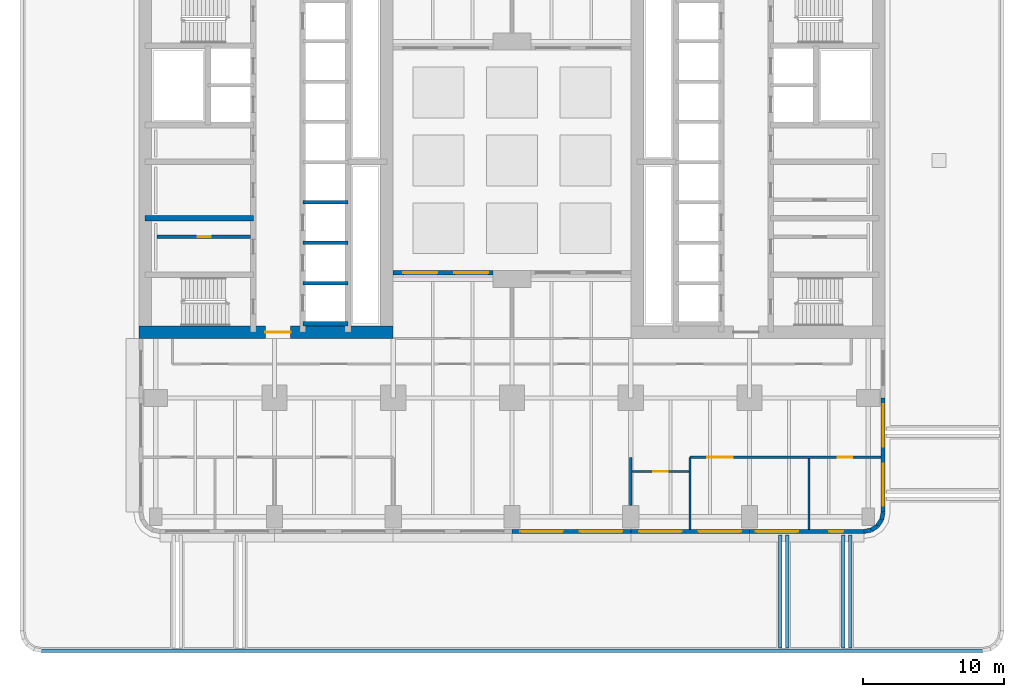
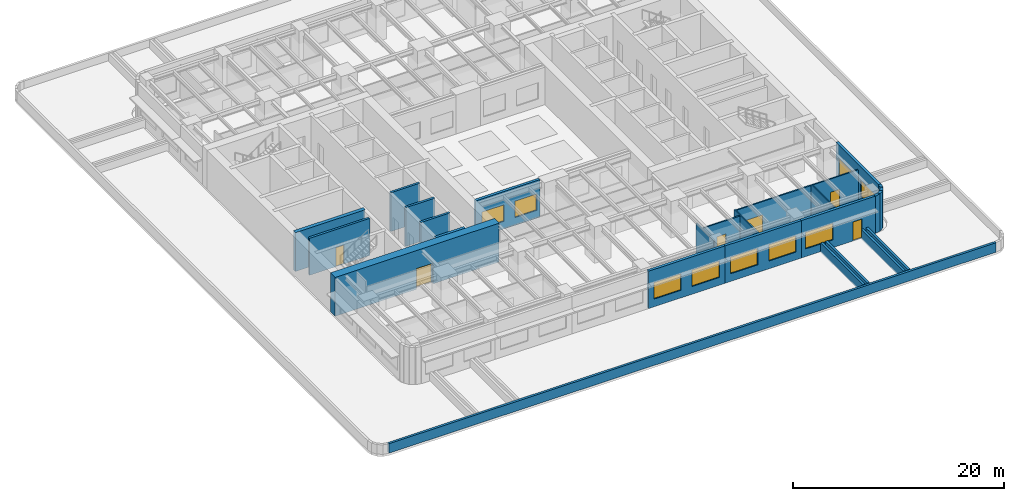
# One storey, part 4 of 17: 26 walls, 9 windows, 6 doors, 15 openings.
"""IFC4 building model written with IfcOpenShell, lengths in metres."""

from ifc_helpers import new_model, si_unit, direction, frame, frame_2d, origin, place, context, subcontext, project, spatial, rectangle, extrude, material, layer, layer_set, type_object, element, fill, save


model = new_model("IFC4")

# Units and contexts
model_context = context("Model", 3, precision=1e-05, world=origin(), true_north=direction((0.0, 1.0)))
body_context = subcontext(model_context, "Body", "Model", "MODEL_VIEW")
ifc_project = project(units=[si_unit("LENGTHUNIT", "METRE"), si_unit("AREAUNIT", "SQUARE_METRE"), si_unit("VOLUMEUNIT", "CUBIC_METRE"), si_unit("PLANEANGLEUNIT", "RADIAN"), si_unit("MASSUNIT", "GRAM", prefix="KILO")], contexts=[model_context])

# Site, building, storey
site_placement = place(None, origin())
site = spatial("IfcSite", under=ifc_project, at=site_placement, CompositionType="ELEMENT")
building_placement = place(site_placement, origin())
building = spatial("IfcBuilding", under=site, at=building_placement, Name="Claustro Exchange Tower", CompositionType="ELEMENT")
storey_placement = place(building_placement, frame((0.0, 0.0, 18.89990234375)))
storey = spatial("IfcBuildingStorey", under=building, at=storey_placement, Name="L04", CompositionType="ELEMENT", Elevation=18.89990234375)

# Wall, opening, door
ifc_material_1 = material(Name="Gypsum board on steel studs", Category="steel")
ifc_layer_1 = layer(ifc_material_1, 0.14990234375)
ifc_layer_set_1 = layer_set([ifc_layer_1], Name="Gypsum board on steel studs")
wall_type_1 = type_object("IfcWallType", Name="P1 150 plasterboard partition", PredefinedType="PARTITIONING", material=ifc_layer_set_1)
wall_1_placement = place(storey_placement, frame((33.674072265625, 3.199951171875, 0.0), z_axis=(0.0, 0.0, 1.0), x_axis=(1.0, 0.0, 0.0)))
wall_1 = element("IfcWall", 1, at=wall_1_placement, inside=storey, type_object=wall_type_1, Name="Partition P1 L04", PredefinedType="PARTITIONING", context=body_context, shape_type="SweptSolid", body=[
    extrude(rectangle(XDim=4.052001953125, YDim=0.14990234375, at=frame_2d((2.02587890625, 0.0))), origin(), (0.0, 0.0, 1.0), 3.739990234375),
])
opening_1_placement = place(wall_1_placement, frame((1.52587890625, 0.0, 0.0)))
opening_1 = element("IfcOpeningElement", 2, at=opening_1_placement, cuts=wall_1, Name="Opening D1", PredefinedType="OPENING", context=body_context, shape_type="SweptSolid", body=[
    extrude(rectangle(XDim=1.0, YDim=2.199951171875, at=frame_2d((0.5, 1.10009765625))), frame((0.0, 0.0849609375, 0.0), z_axis=(0.0, -1.0, 0.0), x_axis=(1.0, 0.0, 0.0)), (0.0, 0.0, 1.0), 0.169921875),
])
ifc_material_2 = material(Name="Timber door, oak veneer", Category="wood")
door_type_1 = type_object("IfcDoorType", Name="D1 1000 x 2200 single door", OperationType="SINGLE_SWING_LEFT", PredefinedType="DOOR", material=ifc_material_2)
door_1_placement = place(opening_1_placement, frame((1.0, 0.0, 0.0), z_axis=(0.0, 0.0, 1.0), x_axis=(-1.0, 0.0, 0.0)))
door_1 = element("IfcDoor", 3, at=door_1_placement, inside=storey, type_object=door_type_1, Name="Door D1 L04", OperationType="SINGLE_SWING_LEFT", OverallHeight=2.199951171875, OverallWidth=1.0, PredefinedType="DOOR", context=body_context, shape_type="SweptSolid", body=[
    extrude(rectangle(XDim=1.0, YDim=2.199951171875, at=frame_2d((0.5, 1.10009765625))), frame((0.0, 0.02490234375, 0.0), z_axis=(0.0, -1.0, 0.0), x_axis=(1.0, 0.0, 0.0)), (0.0, 0.0, 1.0), 0.050048828125),
])
fill(opening_1, door_1)

# Wall, openings, doors
wall_2_placement = place(storey_placement, frame((37.800048828125, 4.199951171875, 0.0), z_axis=(0.0, 0.0, 1.0), x_axis=(1.0, 0.0, 0.0)))
wall_2 = element("IfcWall", 4, at=wall_2_placement, inside=storey, type_object=wall_type_1, Name="Partition P1 L04", PredefinedType="PARTITIONING", context=body_context, shape_type="SweptSolid", body=[
    extrude(rectangle(XDim=13.501953125, YDim=0.14990234375, at=frame_2d((6.7509765625, 0.0))), origin(), (0.0, 0.0, 1.0), 3.739990234375),
])
opening_2_placement = place(wall_2_placement, frame((1.199951171875, 0.0, 0.0)))
opening_2 = element("IfcOpeningElement", 5, at=opening_2_placement, cuts=wall_2, Name="Opening D2", PredefinedType="OPENING", context=body_context, shape_type="SweptSolid", body=[
    extrude(rectangle(XDim=1.800048828125, YDim=2.199951171875, at=frame_2d((0.89990234375, 1.10009765625))), frame((0.0, 0.0849609375, 0.0), z_axis=(0.0, -1.0, 0.0), x_axis=(1.0, 0.0, 0.0)), (0.0, 0.0, 1.0), 0.169921875),
])
opening_3_placement = place(wall_2_placement, frame((10.449951171875, 0.0, 0.0)))
opening_3 = element("IfcOpeningElement", 6, at=opening_3_placement, cuts=wall_2, Name="Opening D1", PredefinedType="OPENING", context=body_context, shape_type="SweptSolid", body=[
    extrude(rectangle(XDim=1.0, YDim=2.199951171875, at=frame_2d((0.5, 1.10009765625))), frame((0.0, 0.0849609375, 0.0), z_axis=(0.0, -1.0, 0.0), x_axis=(1.0, 0.0, 0.0)), (0.0, 0.0, 1.0), 0.169921875),
])
door_2_placement = place(opening_3_placement, origin())
door_2 = element("IfcDoor", 7, at=door_2_placement, inside=storey, type_object=door_type_1, Name="Door D1 L04", OperationType="SINGLE_SWING_LEFT", OverallHeight=2.199951171875, OverallWidth=1.0, PredefinedType="DOOR", context=body_context, shape_type="SweptSolid", body=[
    extrude(rectangle(XDim=1.0, YDim=2.199951171875, at=frame_2d((0.5, 1.10009765625))), frame((0.0, 0.02490234375, 0.0), z_axis=(0.0, -1.0, 0.0), x_axis=(1.0, 0.0, 0.0)), (0.0, 0.0, 1.0), 0.050048828125),
])
fill(opening_3, door_2)
ifc_material_3 = material(Name="Timber door, oak veneer", Category="wood")
door_type_2 = type_object("IfcDoorType", Name="D2 1800 x 2200 double door", OperationType="DOUBLE_DOOR_SINGLE_SWING", PredefinedType="DOOR", material=ifc_material_3)
door_3_placement = place(opening_2_placement, frame((1.800048828125, 0.0, 0.0), z_axis=(0.0, 0.0, 1.0), x_axis=(-1.0, 0.0, 0.0)))
door_3 = element("IfcDoor", 8, at=door_3_placement, inside=storey, type_object=door_type_2, Name="Double door D2 L04", OperationType="DOUBLE_DOOR_SINGLE_SWING", OverallHeight=2.199951171875, OverallWidth=1.800048828125, PredefinedType="DOOR", context=body_context, shape_type="SweptSolid", body=[
    extrude(rectangle(XDim=1.800048828125, YDim=2.199951171875, at=frame_2d((0.89990234375, 1.10009765625))), frame((0.0, 0.02490234375, 0.0), z_axis=(0.0, -1.0, 0.0), x_axis=(1.0, 0.0, 0.0)), (0.0, 0.0, 1.0), 0.050048828125),
])
fill(opening_2, door_3)

# Walls
wall_3_placement = place(storey_placement, frame((33.60009765625, 0.799072265625, 0.0), z_axis=(0.0, 0.0, 1.0), x_axis=(0.0, 1.0, 0.0)))
element("IfcWall", 9, at=wall_3_placement, inside=storey, type_object=wall_type_1, Name="Partition P1 L04", PredefinedType="PARTITIONING", context=body_context, shape_type="SweptSolid", body=[
    extrude(rectangle(XDim=3.40087890625, YDim=0.14990234375, at=frame_2d((1.700439453125, 0.0))), origin(), (0.0, 0.0, 1.0), 3.739990234375),
])
wall_4_placement = place(storey_placement, frame((37.800048828125, -0.902099609375, 0.0), z_axis=(0.0, 0.0, 1.0), x_axis=(0.0, 1.0, 0.0)))
element("IfcWall", 10, at=wall_4_placement, inside=storey, type_object=wall_type_1, Name="Partition P1 L04", PredefinedType="PARTITIONING", context=body_context, shape_type="SweptSolid", body=[
    extrude(rectangle(XDim=5.10205078125, YDim=0.14990234375, at=frame_2d((2.551025390625, 0.0))), origin(), (0.0, 0.0, 1.0), 3.840087890625),
])
wall_5_placement = place(storey_placement, frame((46.199951171875, -0.902099609375, 0.0), z_axis=(0.0, 0.0, 1.0), x_axis=(0.0, 1.0, 0.0)))
element("IfcWall", 11, at=wall_5_placement, inside=storey, type_object=wall_type_1, Name="Partition P1 L04", PredefinedType="PARTITIONING", context=body_context, shape_type="SweptSolid", body=[
    extrude(rectangle(XDim=5.028076171875, YDim=0.14990234375, at=frame_2d((2.51416015625, 0.0))), origin(), (0.0, 0.0, 1.0), 3.840087890625),
])

# Wall, opening, door
ifc_material_4 = material(Name="Concrete blockwork, rendered", Category="masonry")
ifc_layer_2 = layer(ifc_material_4, 0.25)
ifc_layer_set_2 = layer_set([ifc_layer_2], Name="Concrete blockwork, rendered")
wall_type_2 = type_object("IfcWallType", Name="P4 250 blockwork wall", PredefinedType="PARTITIONING", material=ifc_layer_set_2)
wall_6_placement = place(storey_placement, frame((0.10009765625, 19.800048828125, 0.0), z_axis=(0.0, 0.0, 1.0), x_axis=(1.0, 0.0, 0.0)))
wall_6 = element("IfcWall", 12, at=wall_6_placement, inside=storey, type_object=wall_type_2, Name="Partition P4 L04", PredefinedType="PARTITIONING", context=body_context, shape_type="SweptSolid", body=[
    extrude(rectangle(XDim=6.599853515625, YDim=0.25, at=frame_2d((3.2998046875, 0.0))), origin(), (0.0, 0.0, 1.0), 4.300048828125),
])
opening_4_placement = place(wall_6_placement, frame((2.875, 0.0, 0.0)))
opening_4 = element("IfcOpeningElement", 13, at=opening_4_placement, cuts=wall_6, Name="Opening D5", PredefinedType="OPENING", context=body_context, shape_type="SweptSolid", body=[
    extrude(rectangle(XDim=0.89990234375, YDim=2.199951171875, at=frame_2d((0.449951171875, 1.10009765625))), frame((0.0, 0.135009765625, 0.0), z_axis=(0.0, -1.0, 0.0), x_axis=(1.0, 0.0, 0.0)), (0.0, 0.0, 1.0), 0.27001953125),
])
ifc_material_5 = material(Name="Steel door, painted", Category="steel")
door_type_3 = type_object("IfcDoorType", Name="D5 900 x 2200 store door", OperationType="SINGLE_SWING_LEFT", PredefinedType="DOOR", material=ifc_material_5)
door_4_placement = place(opening_4_placement, origin())
door_4 = element("IfcDoor", 14, at=door_4_placement, inside=storey, type_object=door_type_3, Name="Store door D5 L04", OperationType="SINGLE_SWING_LEFT", OverallHeight=2.199951171875, OverallWidth=0.89990234375, PredefinedType="DOOR", context=body_context, shape_type="SweptSolid", body=[
    extrude(rectangle(XDim=0.89990234375, YDim=2.199951171875, at=frame_2d((0.449951171875, 1.10009765625))), frame((0.0, 0.02490234375, 0.0), z_axis=(0.0, -1.0, 0.0), x_axis=(1.0, 0.0, 0.0)), (0.0, 0.0, 1.0), 0.050048828125),
])
fill(opening_4, door_4)

# Wall, openings, door, window
ifc_material_6 = material(Name="Concrete HA-40 (C40/50), precast, white cement, acid-etched", Category="concrete")
ifc_layer_3 = layer(ifc_material_6, 0.300048828125)
ifc_layer_set_3 = layer_set([ifc_layer_3], Name="Concrete HA-40 (C40/50), precast, white cement, acid-etched")
wall_type_3 = type_object("IfcWallType", Name="PC1 300 precast concrete pier panel", PredefinedType="SOLIDWALL", material=ifc_layer_set_3)
wall_7_placement = place(storey_placement, frame((50.085205078125, -1.050048828125, 0.0), z_axis=(0.0, 0.0, 1.0), x_axis=(-1.0, 0.0, 0.0)))
wall_7 = element("IfcWall", 15, at=wall_7_placement, inside=storey, type_object=wall_type_3, Name="Precast pier panel PC1 L04", PredefinedType="SOLIDWALL", context=body_context, shape_type="SweptSolid", body=[
    extrude(rectangle(XDim=8.085205078125, YDim=0.300048828125, at=frame_2d((4.04248046875, 0.0))), origin(), (0.0, 0.0, 1.0), 4.340087890625),
])
opening_5_placement = place(wall_7_placement, frame((4.642578125, 0.0, 0.89990234375)))
opening_5 = element("IfcOpeningElement", 16, at=opening_5_placement, cuts=wall_7, Name="Opening W1", PredefinedType="OPENING", context=body_context, shape_type="SweptSolid", body=[
    extrude(rectangle(XDim=3.0, YDim=1.89990234375, at=frame_2d((1.5, 0.949951171875))), frame((0.0, 0.159912109375, 0.0), z_axis=(0.0, -1.0, 0.0), x_axis=(1.0, 0.0, 0.0)), (0.0, 0.0, 1.0), 0.320068359375),
])
opening_6_placement = place(wall_7_placement, frame((1.442626953125, 0.0, 0.0)))
opening_6 = element("IfcOpeningElement", 17, at=opening_6_placement, cuts=wall_7, Name="Opening DE2", PredefinedType="OPENING", context=body_context, shape_type="SweptSolid", body=[
    extrude(rectangle(XDim=1.0, YDim=2.199951171875, at=frame_2d((0.5, 1.10009765625))), frame((0.0, 0.159912109375, 0.0), z_axis=(0.0, -1.0, 0.0), x_axis=(1.0, 0.0, 0.0)), (0.0, 0.0, 1.0), 0.320068359375),
])
ifc_material_7 = material(Name="Steel door, painted", Category="steel")
door_type_4 = type_object("IfcDoorType", Name="DE2 1000 x 2200 external single door", OperationType="SINGLE_SWING_LEFT", PredefinedType="DOOR", material=ifc_material_7)
door_5_placement = place(opening_6_placement, origin())
door_5 = element("IfcDoor", 18, at=door_5_placement, inside=storey, type_object=door_type_4, Name="Podium roof access door L04", OperationType="SINGLE_SWING_LEFT", OverallHeight=2.199951171875, OverallWidth=1.0, PredefinedType="DOOR", context=body_context, shape_type="SweptSolid", body=[
    extrude(rectangle(XDim=1.0, YDim=2.199951171875, at=frame_2d((0.5, 1.10009765625))), frame((0.0, 0.02490234375, 0.0), z_axis=(0.0, -1.0, 0.0), x_axis=(1.0, 0.0, 0.0)), (0.0, 0.0, 1.0), 0.050048828125),
])
fill(opening_6, door_5)
ifc_material_8 = material(Name="Aluminium frame, clear double glazing", Category="aluminium")
window_type_1 = type_object("IfcWindowType", Name="W1 3000 x 1900 window", PartitioningType="SINGLE_PANEL", PredefinedType="WINDOW", material=ifc_material_8)
window_1_placement = place(opening_5_placement, origin())
window_1 = element("IfcWindow", 19, at=window_1_placement, inside=storey, type_object=window_type_1, Name="Window W1 L04", OverallHeight=1.89990234375, OverallWidth=3.0, PartitioningType="SINGLE_PANEL", PredefinedType="WINDOW", context=body_context, shape_type="SweptSolid", body=[
    extrude(rectangle(XDim=3.0, YDim=1.89990234375, at=frame_2d((1.5, 0.949951171875))), frame((0.0, 0.030029296875, 0.0), z_axis=(0.0, -1.0, 0.0), x_axis=(1.0, 0.0, 0.0)), (0.0, 0.0, 1.0), 0.06005859375),
])
fill(opening_5, window_1)

# Wall, openings, windows
wall_8_placement = place(storey_placement, frame((42.0, -1.050048828125, 0.0), z_axis=(0.0, 0.0, 1.0), x_axis=(-1.0, 0.0, 0.0)))
wall_8 = element("IfcWall", 20, at=wall_8_placement, inside=storey, type_object=wall_type_3, Name="Precast pier panel PC1 L04", PredefinedType="SOLIDWALL", context=body_context, shape_type="SweptSolid", body=[
    extrude(rectangle(XDim=8.39990234375, YDim=0.300048828125, at=frame_2d((4.199951171875, 0.0))), origin(), (0.0, 0.0, 1.0), 4.340087890625),
])
opening_7_placement = place(wall_8_placement, frame((0.60009765625, 0.0, 0.89990234375)))
opening_7 = element("IfcOpeningElement", 21, at=opening_7_placement, cuts=wall_8, Name="Opening W1", PredefinedType="OPENING", context=body_context, shape_type="SweptSolid", body=[
    extrude(rectangle(XDim=3.0, YDim=1.89990234375, at=frame_2d((1.5, 0.949951171875))), frame((0.0, 0.159912109375, 0.0), z_axis=(0.0, -1.0, 0.0), x_axis=(1.0, 0.0, 0.0)), (0.0, 0.0, 1.0), 0.320068359375),
])
opening_8_placement = place(wall_8_placement, frame((4.800048828125, 0.0, 0.89990234375)))
opening_8 = element("IfcOpeningElement", 22, at=opening_8_placement, cuts=wall_8, Name="Opening W1", PredefinedType="OPENING", context=body_context, shape_type="SweptSolid", body=[
    extrude(rectangle(XDim=3.0, YDim=1.89990234375, at=frame_2d((1.5, 0.949951171875))), frame((0.0, 0.159912109375, 0.0), z_axis=(0.0, -1.0, 0.0), x_axis=(1.0, 0.0, 0.0)), (0.0, 0.0, 1.0), 0.320068359375),
])
window_2_placement = place(opening_7_placement, origin())
window_2 = element("IfcWindow", 23, at=window_2_placement, inside=storey, type_object=window_type_1, Name="Window W1 L04", OverallHeight=1.89990234375, OverallWidth=3.0, PartitioningType="SINGLE_PANEL", PredefinedType="WINDOW", context=body_context, shape_type="SweptSolid", body=[
    extrude(rectangle(XDim=3.0, YDim=1.89990234375, at=frame_2d((1.5, 0.949951171875))), frame((0.0, 0.030029296875, 0.0), z_axis=(0.0, -1.0, 0.0), x_axis=(1.0, 0.0, 0.0)), (0.0, 0.0, 1.0), 0.06005859375),
])
fill(opening_7, window_2)
window_3_placement = place(opening_8_placement, origin())
window_3 = element("IfcWindow", 24, at=window_3_placement, inside=storey, type_object=window_type_1, Name="Window W1 L04", OverallHeight=1.89990234375, OverallWidth=3.0, PartitioningType="SINGLE_PANEL", PredefinedType="WINDOW", context=body_context, shape_type="SweptSolid", body=[
    extrude(rectangle(XDim=3.0, YDim=1.89990234375, at=frame_2d((1.5, 0.949951171875))), frame((0.0, 0.030029296875, 0.0), z_axis=(0.0, -1.0, 0.0), x_axis=(1.0, 0.0, 0.0)), (0.0, 0.0, 1.0), 0.06005859375),
])
fill(opening_8, window_3)

wall_9_placement = place(storey_placement, frame((33.60009765625, -1.050048828125, 0.0), z_axis=(0.0, 0.0, 1.0), x_axis=(-1.0, 0.0, 0.0)))
wall_9 = element("IfcWall", 25, at=wall_9_placement, inside=storey, type_object=wall_type_3, Name="Precast pier panel PC1 L04", PredefinedType="SOLIDWALL", context=body_context, shape_type="SweptSolid", body=[
    extrude(rectangle(XDim=8.400146484375, YDim=0.300048828125, at=frame_2d((4.2001953125, 0.0))), origin(), (0.0, 0.0, 1.0), 4.340087890625),
])
opening_9_placement = place(wall_9_placement, frame((0.60009765625, 0.0, 0.89990234375)))
opening_9 = element("IfcOpeningElement", 26, at=opening_9_placement, cuts=wall_9, Name="Opening W1", PredefinedType="OPENING", context=body_context, shape_type="SweptSolid", body=[
    extrude(rectangle(XDim=3.0, YDim=1.89990234375, at=frame_2d((1.5, 0.949951171875))), frame((0.0, 0.159912109375, 0.0), z_axis=(0.0, -1.0, 0.0), x_axis=(1.0, 0.0, 0.0)), (0.0, 0.0, 1.0), 0.320068359375),
])
opening_10_placement = place(wall_9_placement, frame((4.800048828125, 0.0, 0.89990234375)))
opening_10 = element("IfcOpeningElement", 27, at=opening_10_placement, cuts=wall_9, Name="Opening W1", PredefinedType="OPENING", context=body_context, shape_type="SweptSolid", body=[
    extrude(rectangle(XDim=3.0, YDim=1.89990234375, at=frame_2d((1.5, 0.949951171875))), frame((0.0, 0.159912109375, 0.0), z_axis=(0.0, -1.0, 0.0), x_axis=(1.0, 0.0, 0.0)), (0.0, 0.0, 1.0), 0.320068359375),
])
window_4_placement = place(opening_9_placement, origin())
window_4 = element("IfcWindow", 28, at=window_4_placement, inside=storey, type_object=window_type_1, Name="Window W1 L04", OverallHeight=1.89990234375, OverallWidth=3.0, PartitioningType="SINGLE_PANEL", PredefinedType="WINDOW", context=body_context, shape_type="SweptSolid", body=[
    extrude(rectangle(XDim=3.0, YDim=1.89990234375, at=frame_2d((1.5, 0.949951171875))), frame((0.0, 0.030029296875, 0.0), z_axis=(0.0, -1.0, 0.0), x_axis=(1.0, 0.0, 0.0)), (0.0, 0.0, 1.0), 0.06005859375),
])
fill(opening_9, window_4)
window_5_placement = place(opening_10_placement, origin())
window_5 = element("IfcWindow", 29, at=window_5_placement, inside=storey, type_object=window_type_1, Name="Window W1 L04", OverallHeight=1.89990234375, OverallWidth=3.0, PartitioningType="SINGLE_PANEL", PredefinedType="WINDOW", context=body_context, shape_type="SweptSolid", body=[
    extrude(rectangle(XDim=3.0, YDim=1.89990234375, at=frame_2d((1.5, 0.949951171875))), frame((0.0, 0.030029296875, 0.0), z_axis=(0.0, -1.0, 0.0), x_axis=(1.0, 0.0, 0.0)), (0.0, 0.0, 1.0), 0.06005859375),
])
fill(opening_10, window_5)

wall_10_placement = place(storey_placement, frame((51.449951171875, 8.39990234375, 0.0), z_axis=(0.0, 0.0, 1.0), x_axis=(0.0, -1.0, 0.0)))
wall_10 = element("IfcWall", 30, at=wall_10_placement, inside=storey, type_object=wall_type_3, Name="Precast pier panel PC1 L04", PredefinedType="SOLIDWALL", context=body_context, shape_type="SweptSolid", body=[
    extrude(rectangle(XDim=8.085205078125, YDim=0.300048828125, at=frame_2d((4.04248046875, 0.0))), origin(), (0.0, 0.0, 1.0), 4.340087890625),
])
opening_11_placement = place(wall_10_placement, frame((0.442626953125, 0.0, 0.89990234375)))
opening_11 = element("IfcOpeningElement", 31, at=opening_11_placement, cuts=wall_10, Name="Opening W1", PredefinedType="OPENING", context=body_context, shape_type="SweptSolid", body=[
    extrude(rectangle(XDim=3.0, YDim=1.89990234375, at=frame_2d((1.5, 0.949951171875))), frame((0.0, 0.159912109375, 0.0), z_axis=(0.0, -1.0, 0.0), x_axis=(1.0, 0.0, 0.0)), (0.0, 0.0, 1.0), 0.320068359375),
])
opening_12_placement = place(wall_10_placement, frame((4.642578125, 0.0, 0.89990234375)))
opening_12 = element("IfcOpeningElement", 32, at=opening_12_placement, cuts=wall_10, Name="Opening W1", PredefinedType="OPENING", context=body_context, shape_type="SweptSolid", body=[
    extrude(rectangle(XDim=3.0, YDim=1.89990234375, at=frame_2d((1.5, 0.949951171875))), frame((0.0, 0.159912109375, 0.0), z_axis=(0.0, -1.0, 0.0), x_axis=(1.0, 0.0, 0.0)), (0.0, 0.0, 1.0), 0.320068359375),
])
window_6_placement = place(opening_11_placement, origin())
window_6 = element("IfcWindow", 33, at=window_6_placement, inside=storey, type_object=window_type_1, Name="Window W1 L04", OverallHeight=1.89990234375, OverallWidth=3.0, PartitioningType="SINGLE_PANEL", PredefinedType="WINDOW", context=body_context, shape_type="SweptSolid", body=[
    extrude(rectangle(XDim=3.0, YDim=1.89990234375, at=frame_2d((1.5, 0.949951171875))), frame((0.0, 0.030029296875, 0.0), z_axis=(0.0, -1.0, 0.0), x_axis=(1.0, 0.0, 0.0)), (0.0, 0.0, 1.0), 0.06005859375),
])
fill(opening_11, window_6)
window_7_placement = place(opening_12_placement, origin())
window_7 = element("IfcWindow", 34, at=window_7_placement, inside=storey, type_object=window_type_1, Name="Window W1 L04", OverallHeight=1.89990234375, OverallWidth=3.0, PartitioningType="SINGLE_PANEL", PredefinedType="WINDOW", context=body_context, shape_type="SweptSolid", body=[
    extrude(rectangle(XDim=3.0, YDim=1.89990234375, at=frame_2d((1.5, 0.949951171875))), frame((0.0, 0.030029296875, 0.0), z_axis=(0.0, -1.0, 0.0), x_axis=(1.0, 0.0, 0.0)), (0.0, 0.0, 1.0), 0.06005859375),
])
fill(opening_12, window_7)

# Walls
wall_11_placement = place(storey_placement, frame((51.449951171875, 0.314697265625, 0.0), z_axis=(0.0, 0.0, 1.0), x_axis=(-0.195073962632, -0.980788534345, 0.0)))
element("IfcWall", 35, at=wall_11_placement, inside=storey, type_object=wall_type_3, Name="Precast pier panel PC1 L04", PredefinedType="SOLIDWALL", context=body_context, shape_type="SweptSolid", body=[
    extrude(rectangle(XDim=0.540771484375, YDim=0.300048828125, at=frame_2d((0.2705078125, 0.0))), origin(), (0.0, 0.0, 1.0), 4.340087890625),
])
for number, where, z_axis, x_axis, name in (
    (36, (51.344482421875, -0.215576171875, 0.0), (0.0, 0.0, 1.0), (-0.555557463938, -0.831478144188, 0.0), "Precast pier panel PC1 L04"),
    (37, (51.052490234375, -0.652587890625, 0.0), (0.0, 0.0, 1.0), (-0.831478144188, -0.555557463938, 0.0), "Precast pier panel PC1 L04"),
):
    element("IfcWall", number, at=place(storey_placement, frame(where, z_axis=z_axis, x_axis=x_axis)), inside=storey, type_object=wall_type_3, Name=name, PredefinedType="SOLIDWALL", context=body_context, shape_type="SweptSolid", body=[
        extrude(rectangle(XDim=0.525634765625, YDim=0.300048828125, at=frame_2d((0.2626953125, 0.0))), origin(), (0.0, 0.0, 1.0), 4.340087890625),
    ])
wall_12_placement = place(storey_placement, frame((50.615478515625, -0.944580078125, 0.0), z_axis=(0.0, 0.0, 1.0), x_axis=(-0.980788534345, -0.195073962632, 0.0)))
element("IfcWall", 38, at=wall_12_placement, inside=storey, type_object=wall_type_3, Name="Precast pier panel PC1 L04", PredefinedType="SOLIDWALL", context=body_context, shape_type="SweptSolid", body=[
    extrude(rectangle(XDim=0.540771484375, YDim=0.300048828125, at=frame_2d((0.2705078125, 0.0))), origin(), (0.0, 0.0, 1.0), 4.340087890625),
])

# Wall, openings, windows
wall_13_placement = place(storey_placement, frame((16.800048828125, 17.25, 0.0), z_axis=(0.0, 0.0, 1.0), x_axis=(1.0, 0.0, 0.0)))
wall_13 = element("IfcWall", 39, at=wall_13_placement, inside=storey, type_object=wall_type_3, Name="Precast pier panel PC1 L04", PredefinedType="SOLIDWALL", context=body_context, shape_type="SweptSolid", body=[
    extrude(rectangle(XDim=7.050048828125, YDim=0.300048828125, at=frame_2d((3.52490234375, 0.0))), origin(), (0.0, 0.0, 1.0), 4.340087890625),
])
opening_13_placement = place(wall_13_placement, frame((0.72509765625, 0.0, 0.89990234375)))
opening_13 = element("IfcOpeningElement", 40, at=opening_13_placement, cuts=wall_13, Name="Opening W2", PredefinedType="OPENING", context=body_context, shape_type="SweptSolid", body=[
    extrude(rectangle(XDim=2.39990234375, YDim=1.89990234375, at=frame_2d((1.199951171875, 0.949951171875))), frame((0.0, 0.159912109375, 0.0), z_axis=(0.0, -1.0, 0.0), x_axis=(1.0, 0.0, 0.0)), (0.0, 0.0, 1.0), 0.320068359375),
])
opening_14_placement = place(wall_13_placement, frame((4.324951171875, 0.0, 0.89990234375)))
opening_14 = element("IfcOpeningElement", 41, at=opening_14_placement, cuts=wall_13, Name="Opening W2", PredefinedType="OPENING", context=body_context, shape_type="SweptSolid", body=[
    extrude(rectangle(XDim=2.39990234375, YDim=1.89990234375, at=frame_2d((1.199951171875, 0.949951171875))), frame((0.0, 0.159912109375, 0.0), z_axis=(0.0, -1.0, 0.0), x_axis=(1.0, 0.0, 0.0)), (0.0, 0.0, 1.0), 0.320068359375),
])
ifc_material_9 = material(Name="Aluminium frame, clear double glazing", Category="aluminium")
window_type_2 = type_object("IfcWindowType", Name="W2 2400 x 1900 window", PartitioningType="SINGLE_PANEL", PredefinedType="WINDOW", material=ifc_material_9)
window_8_placement = place(opening_13_placement, origin())
window_8 = element("IfcWindow", 42, at=window_8_placement, inside=storey, type_object=window_type_2, Name="Window W2 L04", OverallHeight=1.89990234375, OverallWidth=2.39990234375, PartitioningType="SINGLE_PANEL", PredefinedType="WINDOW", context=body_context, shape_type="SweptSolid", body=[
    extrude(rectangle(XDim=2.39990234375, YDim=1.89990234375, at=frame_2d((1.199951171875, 0.949951171875))), frame((0.0, 0.030029296875, 0.0), z_axis=(0.0, -1.0, 0.0), x_axis=(1.0, 0.0, 0.0)), (0.0, 0.0, 1.0), 0.06005859375),
])
fill(opening_13, window_8)
window_9_placement = place(opening_14_placement, origin())
window_9 = element("IfcWindow", 43, at=window_9_placement, inside=storey, type_object=window_type_2, Name="Window W2 L04", OverallHeight=1.89990234375, OverallWidth=2.39990234375, PartitioningType="SINGLE_PANEL", PredefinedType="WINDOW", context=body_context, shape_type="SweptSolid", body=[
    extrude(rectangle(XDim=2.39990234375, YDim=1.89990234375, at=frame_2d((1.199951171875, 0.949951171875))), frame((0.0, 0.030029296875, 0.0), z_axis=(0.0, -1.0, 0.0), x_axis=(1.0, 0.0, 0.0)), (0.0, 0.0, 1.0), 0.06005859375),
])
fill(opening_14, window_9)

# Walls
ifc_material_10 = material(Name="Concrete HA-40 (C40/50), precast, white cement, acid-etched", Category="concrete")
ifc_layer_4 = layer(ifc_material_10, 0.25)
ifc_layer_set_4 = layer_set([ifc_layer_4], Name="Concrete HA-40 (C40/50), precast, white cement, acid-etched")
wall_type_4 = type_object("IfcWallType", Name="PP1 250 precast concrete parapet", PredefinedType="PARAPET", material=ifc_layer_set_4)
wall_14_placement = place(storey_placement, frame((58.5, -9.47509765625, 0.0), z_axis=(0.0, 0.0, 1.0), x_axis=(-1.0, 0.0, 0.0)))
element("IfcWall", 44, at=wall_14_placement, inside=storey, type_object=wall_type_4, Name="Parapet PP1 roof at +18.900", PredefinedType="PARAPET", context=body_context, shape_type="SweptSolid", body=[
    extrude(rectangle(XDim=66.60009765625, YDim=0.25, at=frame_2d((33.300048828125, 0.0))), origin(), (0.0, 0.0, 1.0), 1.10009765625),
])
for number, where, z_axis, x_axis, name in (
    (45, (44.175048828125, -1.280029296875, 0.0), (0.0, 0.0, 1.0), (0.0, -1.0, 0.0), "Parapet PP1 roof at +18.900"),
    (46, (44.675048828125, -9.280029296875, 0.0), (0.0, 0.0, 1.0), (0.0, 1.0, 0.0), "Parapet PP1 roof at +18.900"),
    (47, (48.625, -1.280029296875, 0.0), (0.0, 0.0, 1.0), (0.0, -1.0, 0.0), "Parapet PP1 roof at +18.900"),
    (48, (49.125, -9.280029296875, 0.0), (0.0, 0.0, 1.0), (0.0, 1.0, 0.0), "Parapet PP1 roof at +18.900"),
):
    element("IfcWall", number, at=place(storey_placement, frame(where, z_axis=z_axis, x_axis=x_axis)), inside=storey, type_object=wall_type_4, Name=name, PredefinedType="PARAPET", context=body_context, shape_type="SweptSolid", body=[
        extrude(rectangle(XDim=8.0, YDim=0.25, at=frame_2d((4.0, 0.0))), origin(), (0.0, 0.0, 1.0), 1.10009765625),
    ])

# Wall, opening, door
ifc_material_11 = material(Name="Concrete HA-70 (C70/85)", Category="concrete")
ifc_layer_5 = layer(ifc_material_11, 0.89990234375)
ifc_layer_set_5 = layer_set([ifc_layer_5], Name="Concrete HA-70 (C70/85)")
wall_type_5 = type_object("IfcWallType", Name="SW1 900 core shear wall", PredefinedType="SHEAR", material=ifc_layer_set_5)
wall_15_placement = place(storey_placement, frame((-1.199951171875, 13.050048828125, 0.0), z_axis=(0.0, 0.0, 1.0), x_axis=(1.0, 0.0, 0.0)))
wall_15 = element("IfcWall", 49, at=wall_15_placement, inside=storey, type_object=wall_type_5, Name="Core wall SW1 W core S face L04", PredefinedType="SHEAR", context=body_context, shape_type="SweptSolid", body=[
    extrude(rectangle(XDim=18.0, YDim=0.89990234375, at=frame_2d((9.0, 0.0))), origin(), (0.0, 0.0, 1.0), 4.5),
])
opening_15_placement = place(wall_15_placement, frame((8.949951171875, 0.0, 0.0)))
opening_15 = element("IfcOpeningElement", 50, at=opening_15_placement, cuts=wall_15, Name="Opening D3", PredefinedType="OPENING", context=body_context, shape_type="SweptSolid", body=[
    extrude(rectangle(XDim=1.800048828125, YDim=2.39990234375, at=frame_2d((0.89990234375, 1.199951171875))), frame((0.0, 0.4599609375, 0.0), z_axis=(0.0, -1.0, 0.0), x_axis=(1.0, 0.0, 0.0)), (0.0, 0.0, 1.0), 0.919921875),
])
ifc_material_12 = material(Name="Steel fire door, painted", Category="steel")
door_type_5 = type_object("IfcDoorType", Name="D3 1800 x 2400 fire-rated lobby double door", OperationType="DOUBLE_DOOR_SINGLE_SWING", PredefinedType="DOOR", material=ifc_material_12)
door_6_placement = place(opening_15_placement, origin())
door_6 = element("IfcDoor", 51, at=door_6_placement, inside=storey, type_object=door_type_5, Name="Lift lobby door D3 L04", OperationType="DOUBLE_DOOR_SINGLE_SWING", OverallHeight=2.39990234375, OverallWidth=1.800048828125, PredefinedType="DOOR", context=body_context, shape_type="SweptSolid", body=[
    extrude(rectangle(XDim=1.800048828125, YDim=2.39990234375, at=frame_2d((0.89990234375, 1.199951171875))), frame((0.0, 0.02490234375, 0.0), z_axis=(0.0, -1.0, 0.0), x_axis=(1.0, 0.0, 0.0)), (0.0, 0.0, 1.0), 0.050048828125),
])
fill(opening_15, door_6)

# Walls
ifc_material_13 = material(Name="Concrete HA-50 (C50/60)", Category="concrete")
ifc_layer_6 = layer(ifc_material_13, 0.39990234375)
ifc_layer_set_6 = layer_set([ifc_layer_6], Name="Concrete HA-50 (C50/60)")
wall_type_6 = type_object("IfcWallType", Name="SW4 400 internal core wall", PredefinedType="SHEAR", material=ifc_layer_set_6)
wall_16_placement = place(storey_placement, frame((-0.75, 21.10009765625, 0.0), z_axis=(0.0, 0.0, 1.0), x_axis=(1.0, 0.0, 0.0)))
element("IfcWall", 52, at=wall_16_placement, inside=storey, type_object=wall_type_6, Name="Internal core wall SW4 W core L04", PredefinedType="SHEAR", context=body_context, shape_type="SweptSolid", body=[
    extrude(rectangle(XDim=7.64990234375, YDim=0.39990234375, at=frame_2d((3.824951171875, 0.0))), origin(), (0.0, 0.0, 1.0), 4.5),
])
ifc_material_14 = material(Name="Concrete HA-50 (C50/60)", Category="concrete")
ifc_layer_7 = layer(ifc_material_14, 0.25)
ifc_layer_set_7 = layer_set([ifc_layer_7], Name="Concrete HA-50 (C50/60)")
wall_type_7 = type_object("IfcWallType", Name="SW5 250 lift shaft divider wall", PredefinedType="SHEAR", material=ifc_layer_set_7)
for number, where, z_axis, x_axis, name in (
    (53, (10.39990234375, 16.52490234375, 0.0), (0.0, 0.0, 1.0), (1.0, 0.0, 0.0), "Lift shaft wall W core L04"),
    (54, (10.39990234375, 19.375, 0.0), (0.0, 0.0, 1.0), (1.0, 0.0, 0.0), "Lift shaft wall W core L04"),
    (55, (10.39990234375, 22.22509765625, 0.0), (0.0, 0.0, 1.0), (1.0, 0.0, 0.0), "Lift shaft wall W core L04"),
):
    element("IfcWall", number, at=place(storey_placement, frame(where, z_axis=z_axis, x_axis=x_axis)), inside=storey, type_object=wall_type_7, Name=name, PredefinedType="SHEAR", context=body_context, shape_type="SweptSolid", body=[
        extrude(rectangle(XDim=3.2001953125, YDim=0.25, at=frame_2d((1.60009765625, 0.0))), origin(), (0.0, 0.0, 1.0), 4.5),
    ])
ifc_material_15 = material(Name="Concrete HA-50 (C50/60)", Category="concrete")
ifc_layer_8 = layer(ifc_material_15, 0.300048828125)
ifc_layer_set_8 = layer_set([ifc_layer_8], Name="Concrete HA-50 (C50/60)")
wall_type_8 = type_object("IfcWallType", Name="SW6A 300 lift shaft end wall", PredefinedType="SHEAR", material=ifc_layer_set_8)
wall_17_placement = place(storey_placement, frame((10.39990234375, 13.64990234375, 0.0), z_axis=(0.0, 0.0, 1.0), x_axis=(1.0, 0.0, 0.0)))
element("IfcWall", 56, at=wall_17_placement, inside=storey, type_object=wall_type_8, Name="Lift shaft wall W core L04", PredefinedType="SHEAR", context=body_context, shape_type="SweptSolid", body=[
    extrude(rectangle(XDim=3.2001953125, YDim=0.300048828125, at=frame_2d((1.60009765625, 0.0))), origin(), (0.0, 0.0, 1.0), 4.5),
])

save(model, "model.ifc")
